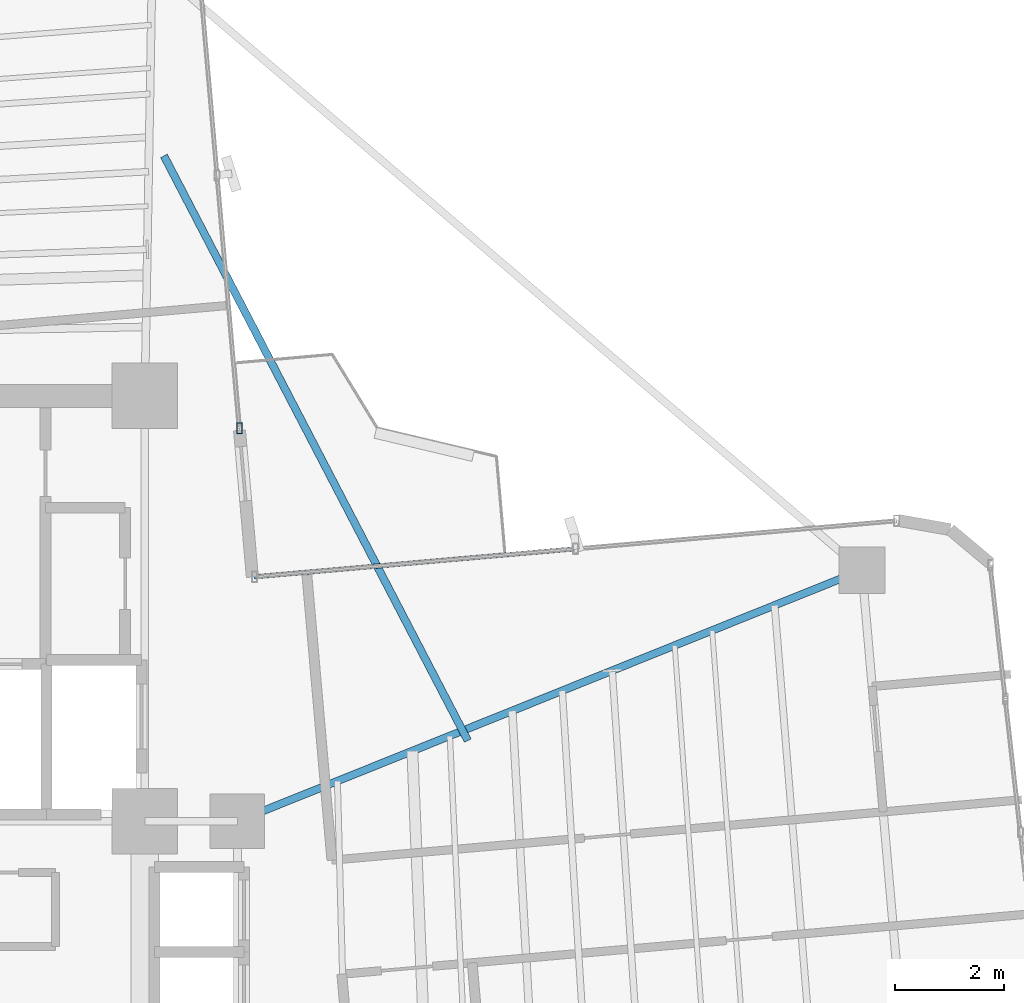
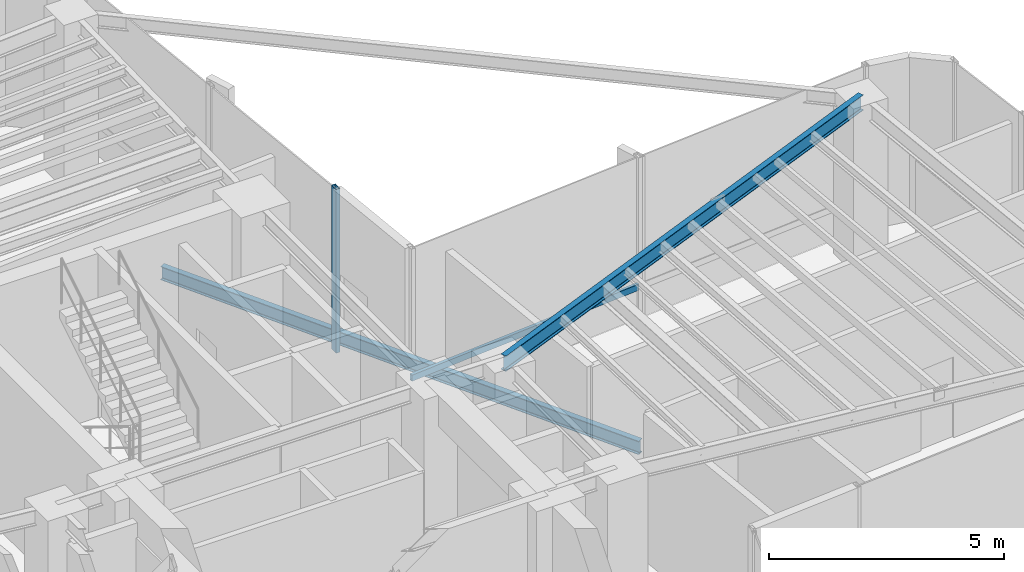
# One storey, part 7 of 19: 2 beams, 2 members, 2 elements without a shape of their own.
"""IFC4 building model written with IfcOpenShell, lengths in metres."""

from ifc_helpers import new_model, si_unit, direction, frame, origin, origin_2d, place, context, subcontext, project, spatial, hollow_rectangle, i_section, extrude, source, transform, mapped, material, material_profile, profile_set, type_object, element, aggregate, save


model = new_model("IFC4")

# Units and contexts
model_context = context("Model", 3, precision=1e-05, world=origin(), true_north=direction((0.0, 1.0)))
body_context = subcontext(model_context, "Body", "Model", "MODEL_VIEW")
ifc_project = project(units=[si_unit("LENGTHUNIT", "METRE"), si_unit("AREAUNIT", "SQUARE_METRE"), si_unit("VOLUMEUNIT", "CUBIC_METRE"), si_unit("PLANEANGLEUNIT", "RADIAN"), si_unit("MASSUNIT", "GRAM", prefix="KILO")], contexts=[model_context])

# Site, building, storey
site_placement = place(None, origin())
site = spatial("IfcSite", under=ifc_project, at=site_placement, CompositionType="ELEMENT")
building_placement = place(site_placement, origin())
building = spatial("IfcBuilding", under=site, at=building_placement, Name="Sahyath Konkavel Grand Hotel", CompositionType="ELEMENT")
storey_placement = place(building_placement, frame((0.0, 0.0, 142.75)))
storey = spatial("IfcBuildingStorey", under=building, at=storey_placement, Name="L39", CompositionType="ELEMENT", Elevation=142.75)

# Beam
ifc_material_1 = material(Name="Steel E350", Category="steel")
ifc_material_profile_1 = material_profile(ifc_material_1, i_section(OverallWidth=0.139892578125, OverallDepth=0.39990234375, WebThickness=0.0087890625, FlangeThickness=0.01611328125, FilletRadius=0.013916015625, at=origin_2d()), Name="ISMB 400")
ifc_profile_set_1 = profile_set([ifc_material_profile_1], Name="Steel E350")
beam_type_1 = type_object("IfcBeamType", Name="BM-ISMB400", PredefinedType="BEAM", material=ifc_profile_set_1)
shared_shape_1 = source(origin(), body_context, "Body", "SweptSolid", [
    extrude(i_section(OverallWidth=0.139892578125, OverallDepth=0.39990234375, WebThickness=0.0087890625, FlangeThickness=0.01611328125, FilletRadius=0.013916015625, at=origin_2d()), origin(), (0.0, 0.0, 1.0), 12.344970703125),
])
beam_1_placement = place(storey_placement, frame((5.5, 2.39990234375, 4.06005859375), z_axis=(0.927837014101, 0.372985891507, 0.0), x_axis=(-0.372985891507, 0.927837014101, 0.0)))
element("IfcBeam", 1, at=beam_1_placement, inside=storey, type_object=beam_type_1, Name="L39 Cruciform Radial Girder EB", PredefinedType="BEAM", context=body_context, shape_type="MappedRepresentation", body=[
    mapped(shared_shape_1, transform((0.0, 0.0, 0.0), scale=1.0)),
])

# Curtain wall, member
ifc_material_2 = material(Name="Anodised Bronze Aluminium & Low-E Glazing", Category="aluminium")
curtain_wall_type = type_object("IfcCurtainWallType", Name="CW-SKYLOBBY", PredefinedType="NOTDEFINED", material=ifc_material_2)
curtain_wall_1_placement = place(storey_placement, origin())
curtain_wall_1 = element("IfcCurtainWall", 2, at=curtain_wall_1_placement, inside=storey, type_object=curtain_wall_type, Name="L39 Unitised Curtain Wall F8", PredefinedType="NOTDEFINED")
ifc_material_3 = material(Name="Anodised Bronze Aluminium", Category="aluminium")
ifc_material_profile_2 = material_profile(ifc_material_3, hollow_rectangle(XDim=0.10009765625, YDim=0.199951171875, WallThickness=0.008056640625, at=origin_2d()), Name="RHS 200x100x8")
ifc_profile_set_2 = profile_set([ifc_material_profile_2], Name="Anodised Bronze Aluminium")
member_type_1 = type_object("IfcMemberType", Name="CW-MUL-200", PredefinedType="MULLION", material=ifc_profile_set_2)
shared_shape_2 = source(origin(), body_context, "Body", "SweptSolid", [
    extrude(hollow_rectangle(XDim=0.10009765625, YDim=0.199951171875, WallThickness=0.008056640625, at=origin_2d()), origin(), (0.0, 0.0, 1.0), 4.260009765625),
])
member_1_placement = place(storey_placement, frame((5.53369140625, 9.60888671875, 0.0), z_axis=(0.0, 0.0, 1.0), x_axis=(1.0, 0.0, 0.0)))
member_1 = element("IfcMember", 3, at=member_1_placement, type_object=member_type_1, Name="L39 Curtain Wall Mullion F8-0", PredefinedType="MULLION", context=body_context, shape_type="MappedRepresentation", body=[
    mapped(shared_shape_2, transform((0.0, 0.0, 0.0), scale=1.0)),
])
aggregate(curtain_wall_1, [member_1])

# Beam
ifc_material_profile_3 = material_profile(ifc_material_1, i_section(OverallWidth=0.139892578125, OverallDepth=0.35009765625, WebThickness=0.008056640625, FlangeThickness=0.01416015625, FilletRadius=0.013916015625, at=origin_2d()), Name="ISMB 350")
ifc_profile_set_3 = profile_set([ifc_material_profile_3], Name="Steel E350")
beam_type_2 = type_object("IfcBeamType", Name="BM-BALC-CANT", PredefinedType="BEAM", material=ifc_profile_set_3)
shared_shape_3 = source(origin(), body_context, "Body", "SweptSolid", [
    extrude(i_section(OverallWidth=0.139892578125, OverallDepth=0.35009765625, WebThickness=0.008056640625, FlangeThickness=0.01416015625, FilletRadius=0.013916015625, at=origin_2d()), origin(), (0.0, 0.0, 1.0), 12.085205078125),
])
beam_2_placement = place(storey_placement, frame((9.7236328125, 3.87890625, -0.4951171875), z_axis=(-0.461082384626, 0.887357331962, 0.0), x_axis=(-0.887357331962, -0.461082384626, 0.0)))
element("IfcBeam", 4, at=beam_2_placement, inside=storey, type_object=beam_type_2, Name="L39 Balcony Cantilever Support Beam NE", PredefinedType="BEAM", context=body_context, shape_type="MappedRepresentation", body=[
    mapped(shared_shape_3, transform((0.0, 0.0, 0.0), scale=1.0)),
])

# Curtain wall, member
curtain_wall_2_placement = place(storey_placement, origin())
curtain_wall_2 = element("IfcCurtainWall", 5, at=curtain_wall_2_placement, inside=storey, type_object=curtain_wall_type, Name="L39 Unitised Curtain Wall F7", PredefinedType="NOTDEFINED")
ifc_material_profile_4 = material_profile(ifc_material_3, hollow_rectangle(XDim=0.080078125, YDim=0.159912109375, WallThickness=0.006103515625, at=origin_2d()), Name="RHS 160x80x6")
ifc_profile_set_4 = profile_set([ifc_material_profile_4], Name="Anodised Bronze Aluminium")
member_type_2 = type_object("IfcMemberType", Name="CW-TRN-160", PredefinedType="USERDEFINED", material=ifc_profile_set_4)
shared_shape_4 = source(origin(), body_context, "Body", "SweptSolid", [
    extrude(hollow_rectangle(XDim=0.080078125, YDim=0.159912109375, WallThickness=0.006103515625, at=origin_2d()), origin(), (0.0, 0.0, 1.0), 5.909912109375),
])
member_2_placement = place(storey_placement, frame((11.69970703125, 7.39794921875, 0.85009765625), z_axis=(-0.996193941691, -0.087164388014, 0.0), x_axis=(0.087164388014, -0.996193941691, 0.0)))
member_2 = element("IfcMember", 6, at=member_2_placement, type_object=member_type_2, Name="L39 Curtain Wall Transom F7-1-spandrel", ObjectType="TRANSOM", PredefinedType="USERDEFINED", context=body_context, shape_type="MappedRepresentation", body=[
    mapped(shared_shape_4, transform((0.0, 0.0, 0.0), scale=1.0)),
])
aggregate(curtain_wall_2, [member_2])

save(model, "model.ifc")
